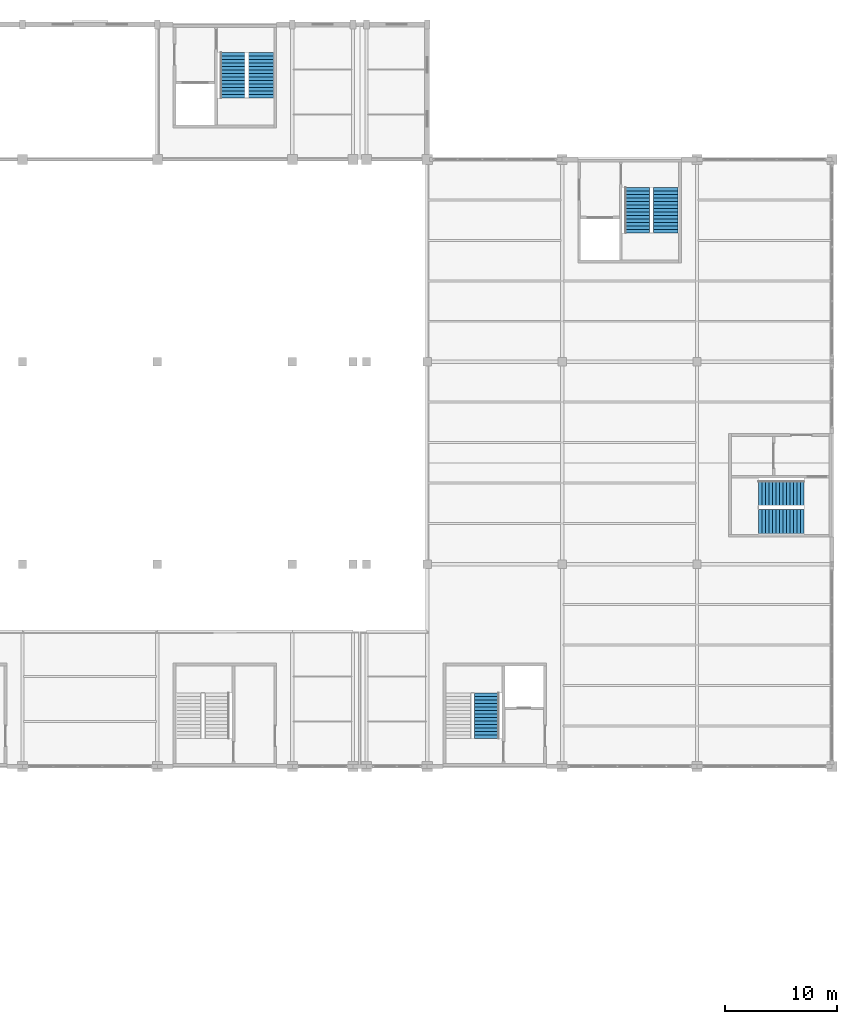
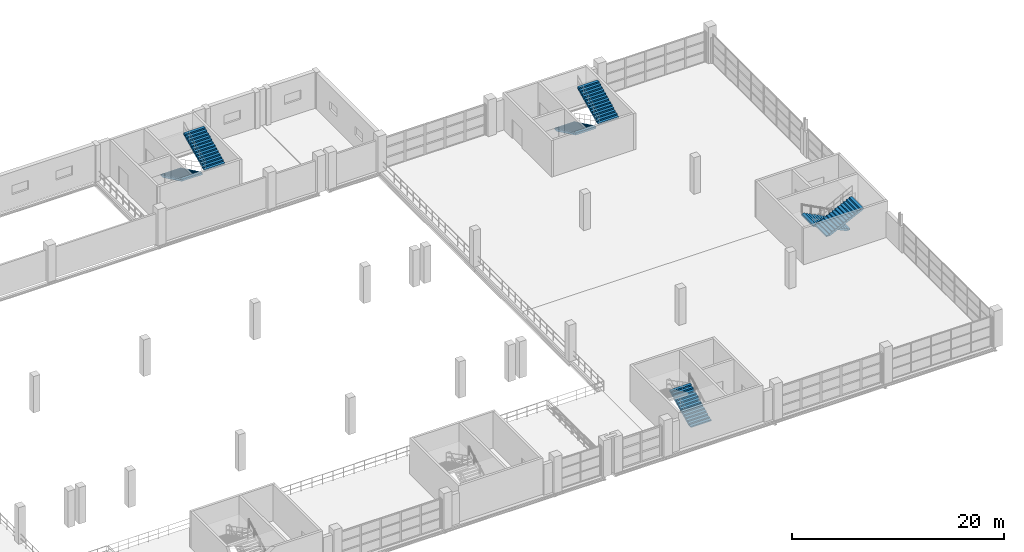
# One storey, part 152 of 158: 7 stair flights, 4 elements without a shape of their own.
"""IFC4 building model written with IfcOpenShell, lengths in metres."""

from ifc_helpers import new_model, si_unit, direction, frame, origin, place, context, subcontext, project, spatial, polyline, outline, extrude, material, type_object, element, aggregate, save


model = new_model("IFC4")

# Units and contexts
model_context = context("Model", 3, precision=1e-05, world=origin(), true_north=direction((0.0, 1.0)))
body_context = subcontext(model_context, "Body", "Model", "MODEL_VIEW")
ifc_project = project(units=[si_unit("LENGTHUNIT", "METRE"), si_unit("AREAUNIT", "SQUARE_METRE"), si_unit("VOLUMEUNIT", "CUBIC_METRE"), si_unit("PLANEANGLEUNIT", "RADIAN"), si_unit("MASSUNIT", "GRAM", prefix="KILO")], contexts=[model_context])

# Site, building, storey
site_placement = place(None, origin())
site = spatial("IfcSite", under=ifc_project, at=site_placement, CompositionType="ELEMENT")
building_placement = place(site_placement, origin())
building = spatial("IfcBuilding", under=site, at=building_placement, Name="Zilviju Railside Exhibition Hall", CompositionType="ELEMENT")
storey_placement = place(building_placement, frame((0.0, 0.0, 4.199951171875)))
storey = spatial("IfcBuildingStorey", under=building, at=storey_placement, Name="L02", CompositionType="ELEMENT", Elevation=4.199951171875)

# Stair, stair flight
ifc_material = material(Name="Concrete C35/45", Category="concrete")
stair_type_1 = type_object("IfcStairType", Name="STAIR-ST-A", PredefinedType="HALF_TURN_STAIR", material=ifc_material)
stair_1_placement = place(storey_placement, origin())
stair_1 = element("IfcStair", 1, at=stair_1_placement, inside=storey, type_object=stair_type_1, Name="Core C07 North Hall Court East Exit Stair L02", PredefinedType="HALF_TURN_STAIR")
stair_flight_type_1 = type_object("IfcStairFlightType", Name="FLIGHT-ST-A", PredefinedType="STRAIGHT", material=ifc_material)
stair_flight_1_placement = place(storey_placement, frame((185.300048828125, 86.5, 0.0), z_axis=(0.0, 0.0, 1.0), x_axis=(0.0, 1.0, 0.0)))
stair_flight_1 = element("IfcStairFlight", 2, at=stair_flight_1_placement, type_object=stair_flight_type_1, Name="ST-07 flight 1", NumberOfRisers=14, NumberOfTreads=13, PredefinedType="STRAIGHT", RiserHeight=0.15, TreadLength=0.31, context=body_context, shape_type="SweptSolid", body=[
    extrude(outline(polyline([(0.0, 0.0), (0.0, 0.14990234375), (0.31005859375, 0.14990234375), (0.31005859375, 0.300048828125), (0.6201171875, 0.300048828125), (0.6201171875, 0.449951171875), (0.929931640625, 0.449951171875), (0.929931640625, 0.60009765625), (1.239990234375, 0.60009765625), (1.239990234375, 0.75), (1.550048828125, 0.75), (1.550048828125, 0.89990234375), (1.860107421875, 0.89990234375), (1.860107421875, 1.050048828125), (2.169921875, 1.050048828125), (2.169921875, 1.199951171875), (2.47998046875, 1.199951171875), (2.47998046875, 1.35009765625), (2.7900390625, 1.35009765625), (2.7900390625, 1.5), (3.10009765625, 1.5), (3.10009765625, 1.64990234375), (3.409912109375, 1.64990234375), (3.409912109375, 1.800048828125), (3.719970703125, 1.800048828125), (3.719970703125, 1.949951171875), (4.030029296875, 1.949951171875), (4.030029296875, 2.10009765625), (4.030029296875, 1.75), (0.4130859375, 0.0), (0.0, 0.0)])), frame((0.0, 1.1201171875, 0.0), z_axis=(0.0, -1.0, 0.0), x_axis=(1.0, 0.0, 0.0)), (0.0, 0.0, 1.0), 2.239990234375),
])
aggregate(stair_1, [stair_flight_1])

# Stair, stair flights
stair_type_2 = type_object("IfcStairType", Name="STAIR-ST-B", PredefinedType="HALF_TURN_STAIR", material=ifc_material)
stair_2_placement = place(storey_placement, origin())
stair_2 = element("IfcStair", 3, at=stair_2_placement, inside=storey, type_object=stair_type_2, Name="Core C08 North Hall Rail East Exit Stair L02", PredefinedType="HALF_TURN_STAIR")
stair_flight_type_2 = type_object("IfcStairFlightType", Name="FLIGHT-ST-B", PredefinedType="STRAIGHT", material=ifc_material)
stair_flight_2_placement = place(storey_placement, frame((198.699951171875, 135.5, 0.0), z_axis=(0.0, 0.0, 1.0), x_axis=(0.0, -1.0, 0.0)))
stair_flight_2 = element("IfcStairFlight", 4, at=stair_flight_2_placement, type_object=stair_flight_type_2, Name="ST-08 flight 1", NumberOfRisers=14, NumberOfTreads=13, PredefinedType="STRAIGHT", RiserHeight=0.15, TreadLength=0.31, context=body_context, shape_type="SweptSolid", body=[
    extrude(outline(polyline([(0.0, 0.0), (0.0, 0.14990234375), (0.31005859375, 0.14990234375), (0.31005859375, 0.300048828125), (0.6201171875, 0.300048828125), (0.6201171875, 0.449951171875), (0.929931640625, 0.449951171875), (0.929931640625, 0.60009765625), (1.239990234375, 0.60009765625), (1.239990234375, 0.75), (1.550048828125, 0.75), (1.550048828125, 0.89990234375), (1.860107421875, 0.89990234375), (1.860107421875, 1.050048828125), (2.169921875, 1.050048828125), (2.169921875, 1.199951171875), (2.47998046875, 1.199951171875), (2.47998046875, 1.35009765625), (2.7900390625, 1.35009765625), (2.7900390625, 1.5), (3.10009765625, 1.5), (3.10009765625, 1.64990234375), (3.409912109375, 1.64990234375), (3.409912109375, 1.800048828125), (3.719970703125, 1.800048828125), (3.719970703125, 1.949951171875), (4.030029296875, 1.949951171875), (4.030029296875, 2.10009765625), (4.030029296875, 1.75), (0.4130859375, 0.0), (0.0, 0.0)])), frame((0.0, 1.10986328125, 0.0), z_axis=(0.0, -1.0, 0.0), x_axis=(1.0, 0.0, 0.0)), (0.0, 0.0, 1.0), 2.219970703125),
])
stair_flight_3_placement = place(storey_placement, frame((201.199951171875, 131.469970703125, 2.10009765625), z_axis=(0.0, 0.0, 1.0), x_axis=(0.0, 1.0, 0.0)))
stair_flight_3 = element("IfcStairFlight", 5, at=stair_flight_3_placement, type_object=stair_flight_type_2, Name="ST-08 flight 2", NumberOfRisers=14, NumberOfTreads=13, PredefinedType="STRAIGHT", RiserHeight=0.15, TreadLength=0.31, context=body_context, shape_type="SweptSolid", body=[
    extrude(outline(polyline([(0.0, 0.0), (0.0, 0.14990234375), (0.31005859375, 0.14990234375), (0.31005859375, 0.300048828125), (0.6201171875, 0.300048828125), (0.6201171875, 0.449951171875), (0.929931640625, 0.449951171875), (0.929931640625, 0.60009765625), (1.239990234375, 0.60009765625), (1.239990234375, 0.75), (1.550048828125, 0.75), (1.550048828125, 0.89990234375), (1.860107421875, 0.89990234375), (1.860107421875, 1.050048828125), (2.169921875, 1.050048828125), (2.169921875, 1.199951171875), (2.47998046875, 1.199951171875), (2.47998046875, 1.35009765625), (2.7900390625, 1.35009765625), (2.7900390625, 1.5), (3.10009765625, 1.5), (3.10009765625, 1.64990234375), (3.409912109375, 1.64990234375), (3.409912109375, 1.800048828125), (3.719970703125, 1.800048828125), (3.719970703125, 1.949951171875), (4.030029296875, 1.949951171875), (4.030029296875, 2.10009765625), (4.030029296875, 1.75), (0.4130859375, 0.0), (0.0, 0.0)])), frame((0.0, 1.10986328125, 0.0), z_axis=(0.0, -1.0, 0.0), x_axis=(1.0, 0.0, 0.0)), (0.0, 0.0, 1.0), 2.219970703125),
])
aggregate(stair_2, [stair_flight_2, stair_flight_3])

stair_3_placement = place(storey_placement, origin())
stair_3 = element("IfcStair", 6, at=stair_3_placement, inside=storey, type_object=stair_type_2, Name="Core C17 Logistics Wing East Exit Stair L02", PredefinedType="HALF_TURN_STAIR")
stair_flight_4_placement = place(storey_placement, frame((162.699951171875, 147.5, 0.0), z_axis=(0.0, 0.0, 1.0), x_axis=(0.0, -1.0, 0.0)))
stair_flight_4 = element("IfcStairFlight", 7, at=stair_flight_4_placement, type_object=stair_flight_type_2, Name="ST-17 flight 1", NumberOfRisers=14, NumberOfTreads=13, PredefinedType="STRAIGHT", RiserHeight=0.15, TreadLength=0.31, context=body_context, shape_type="SweptSolid", body=[
    extrude(outline(polyline([(0.0, 0.0), (0.0, 0.14990234375), (0.31005859375, 0.14990234375), (0.31005859375, 0.300048828125), (0.6201171875, 0.300048828125), (0.6201171875, 0.449951171875), (0.929931640625, 0.449951171875), (0.929931640625, 0.60009765625), (1.239990234375, 0.60009765625), (1.239990234375, 0.75), (1.550048828125, 0.75), (1.550048828125, 0.89990234375), (1.860107421875, 0.89990234375), (1.860107421875, 1.050048828125), (2.169921875, 1.050048828125), (2.169921875, 1.199951171875), (2.47998046875, 1.199951171875), (2.47998046875, 1.35009765625), (2.7900390625, 1.35009765625), (2.7900390625, 1.5), (3.10009765625, 1.5), (3.10009765625, 1.64990234375), (3.409912109375, 1.64990234375), (3.409912109375, 1.800048828125), (3.719970703125, 1.800048828125), (3.719970703125, 1.949951171875), (4.030029296875, 1.949951171875), (4.030029296875, 2.10009765625), (4.030029296875, 1.75), (0.4130859375, 0.0), (0.0, 0.0)])), frame((0.0, 1.10986328125, 0.0), z_axis=(0.0, -1.0, 0.0), x_axis=(1.0, 0.0, 0.0)), (0.0, 0.0, 1.0), 2.219970703125),
])
stair_flight_5_placement = place(storey_placement, frame((165.199951171875, 143.469970703125, 2.10009765625), z_axis=(0.0, 0.0, 1.0), x_axis=(0.0, 1.0, 0.0)))
stair_flight_5 = element("IfcStairFlight", 8, at=stair_flight_5_placement, type_object=stair_flight_type_2, Name="ST-17 flight 2", NumberOfRisers=14, NumberOfTreads=13, PredefinedType="STRAIGHT", RiserHeight=0.15, TreadLength=0.31, context=body_context, shape_type="SweptSolid", body=[
    extrude(outline(polyline([(0.0, 0.0), (0.0, 0.14990234375), (0.31005859375, 0.14990234375), (0.31005859375, 0.300048828125), (0.6201171875, 0.300048828125), (0.6201171875, 0.449951171875), (0.929931640625, 0.449951171875), (0.929931640625, 0.60009765625), (1.239990234375, 0.60009765625), (1.239990234375, 0.75), (1.550048828125, 0.75), (1.550048828125, 0.89990234375), (1.860107421875, 0.89990234375), (1.860107421875, 1.050048828125), (2.169921875, 1.050048828125), (2.169921875, 1.199951171875), (2.47998046875, 1.199951171875), (2.47998046875, 1.35009765625), (2.7900390625, 1.35009765625), (2.7900390625, 1.5), (3.10009765625, 1.5), (3.10009765625, 1.64990234375), (3.409912109375, 1.64990234375), (3.409912109375, 1.800048828125), (3.719970703125, 1.800048828125), (3.719970703125, 1.949951171875), (4.030029296875, 1.949951171875), (4.030029296875, 2.10009765625), (4.030029296875, 1.75), (0.4130859375, 0.0), (0.0, 0.0)])), frame((0.0, 1.10986328125, 0.0), z_axis=(0.0, -1.0, 0.0), x_axis=(1.0, 0.0, 0.0)), (0.0, 0.0, 1.0), 2.219970703125),
])
aggregate(stair_3, [stair_flight_4, stair_flight_5])

stair_type_3 = type_object("IfcStairType", Name="STAIR-ST-C", PredefinedType="HALF_TURN_STAIR", material=ifc_material)
stair_4_placement = place(storey_placement, origin())
stair_4 = element("IfcStair", 9, at=stair_4_placement, inside=storey, type_object=stair_type_3, Name="Core C09 North Hall Gable East Exit Stair L02", PredefinedType="HALF_TURN_STAIR")
stair_flight_type_3 = type_object("IfcStairFlightType", Name="FLIGHT-ST-C", PredefinedType="STRAIGHT", material=ifc_material)
stair_flight_6_placement = place(storey_placement, frame((213.5, 108.300048828125, 0.0), z_axis=(0.0, 0.0, 1.0), x_axis=(-1.0, 0.0, 0.0)))
stair_flight_6 = element("IfcStairFlight", 10, at=stair_flight_6_placement, type_object=stair_flight_type_3, Name="ST-09 flight 1", NumberOfRisers=14, NumberOfTreads=13, PredefinedType="STRAIGHT", RiserHeight=0.15, TreadLength=0.31, context=body_context, shape_type="SweptSolid", body=[
    extrude(outline(polyline([(0.0, 0.0), (0.0, 0.14990234375), (0.31005859375, 0.14990234375), (0.31005859375, 0.300048828125), (0.6201171875, 0.300048828125), (0.6201171875, 0.449951171875), (0.929931640625, 0.449951171875), (0.929931640625, 0.60009765625), (1.239990234375, 0.60009765625), (1.239990234375, 0.75), (1.550048828125, 0.75), (1.550048828125, 0.89990234375), (1.860107421875, 0.89990234375), (1.860107421875, 1.050048828125), (2.169921875, 1.050048828125), (2.169921875, 1.199951171875), (2.47998046875, 1.199951171875), (2.47998046875, 1.35009765625), (2.7900390625, 1.35009765625), (2.7900390625, 1.5), (3.10009765625, 1.5), (3.10009765625, 1.64990234375), (3.409912109375, 1.64990234375), (3.409912109375, 1.800048828125), (3.719970703125, 1.800048828125), (3.719970703125, 1.949951171875), (4.030029296875, 1.949951171875), (4.030029296875, 2.10009765625), (4.030029296875, 1.75), (0.4130859375, 0.0), (0.0, 0.0)])), frame((0.0, 1.10009765625, 0.0), z_axis=(0.0, -1.0, 0.0), x_axis=(1.0, 0.0, 0.0)), (0.0, 0.0, 1.0), 2.199951171875),
])
stair_flight_7_placement = place(storey_placement, frame((209.469970703125, 105.800048828125, 2.10009765625), z_axis=(0.0, 0.0, 1.0), x_axis=(1.0, 0.0, 0.0)))
stair_flight_7 = element("IfcStairFlight", 11, at=stair_flight_7_placement, type_object=stair_flight_type_3, Name="ST-09 flight 2", NumberOfRisers=14, NumberOfTreads=13, PredefinedType="STRAIGHT", RiserHeight=0.15, TreadLength=0.31, context=body_context, shape_type="SweptSolid", body=[
    extrude(outline(polyline([(0.0, 0.0), (0.0, 0.14990234375), (0.31005859375, 0.14990234375), (0.31005859375, 0.300048828125), (0.6201171875, 0.300048828125), (0.6201171875, 0.449951171875), (0.929931640625, 0.449951171875), (0.929931640625, 0.60009765625), (1.239990234375, 0.60009765625), (1.239990234375, 0.75), (1.550048828125, 0.75), (1.550048828125, 0.89990234375), (1.860107421875, 0.89990234375), (1.860107421875, 1.050048828125), (2.169921875, 1.050048828125), (2.169921875, 1.199951171875), (2.47998046875, 1.199951171875), (2.47998046875, 1.35009765625), (2.7900390625, 1.35009765625), (2.7900390625, 1.5), (3.10009765625, 1.5), (3.10009765625, 1.64990234375), (3.409912109375, 1.64990234375), (3.409912109375, 1.800048828125), (3.719970703125, 1.800048828125), (3.719970703125, 1.949951171875), (4.030029296875, 1.949951171875), (4.030029296875, 2.10009765625), (4.030029296875, 1.75), (0.4130859375, 0.0), (0.0, 0.0)])), frame((0.0, 1.10009765625, 0.0), z_axis=(0.0, -1.0, 0.0), x_axis=(1.0, 0.0, 0.0)), (0.0, 0.0, 1.0), 2.199951171875),
])
aggregate(stair_4, [stair_flight_6, stair_flight_7])

save(model, "model.ifc")
